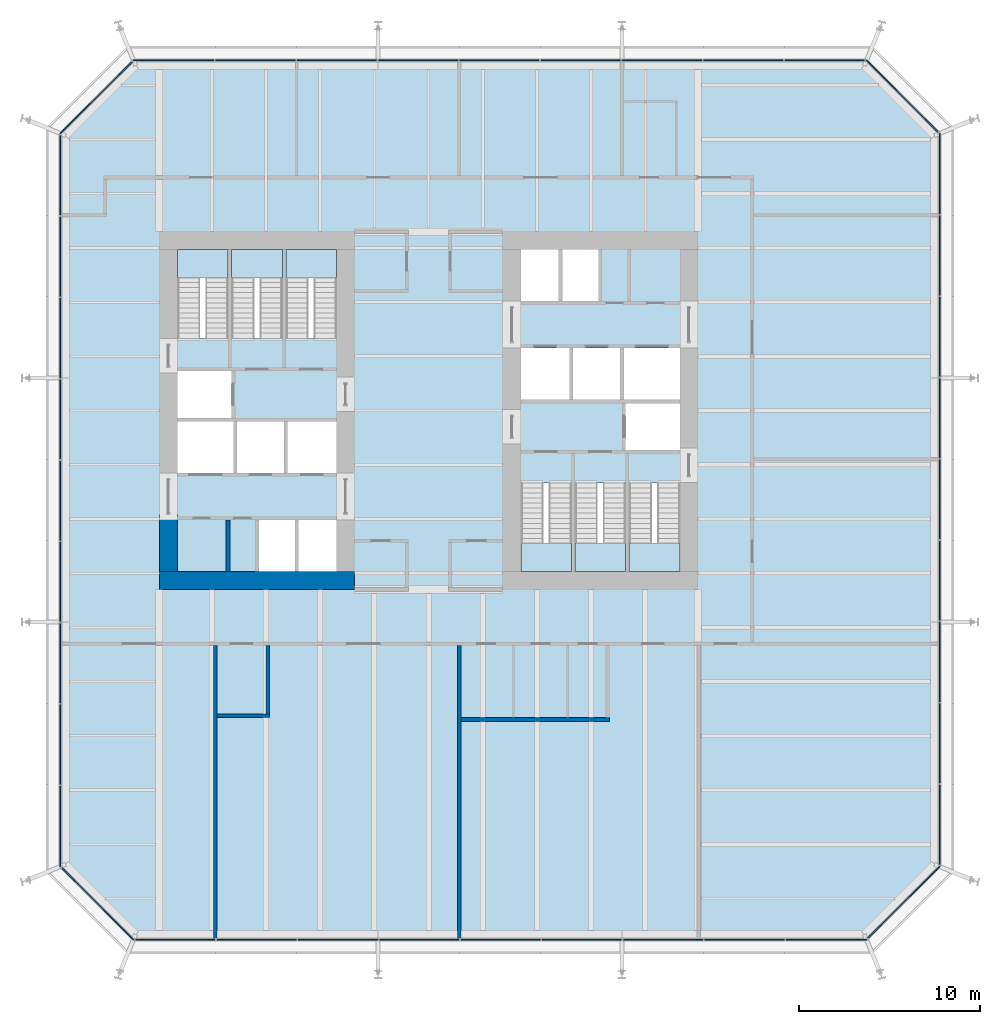
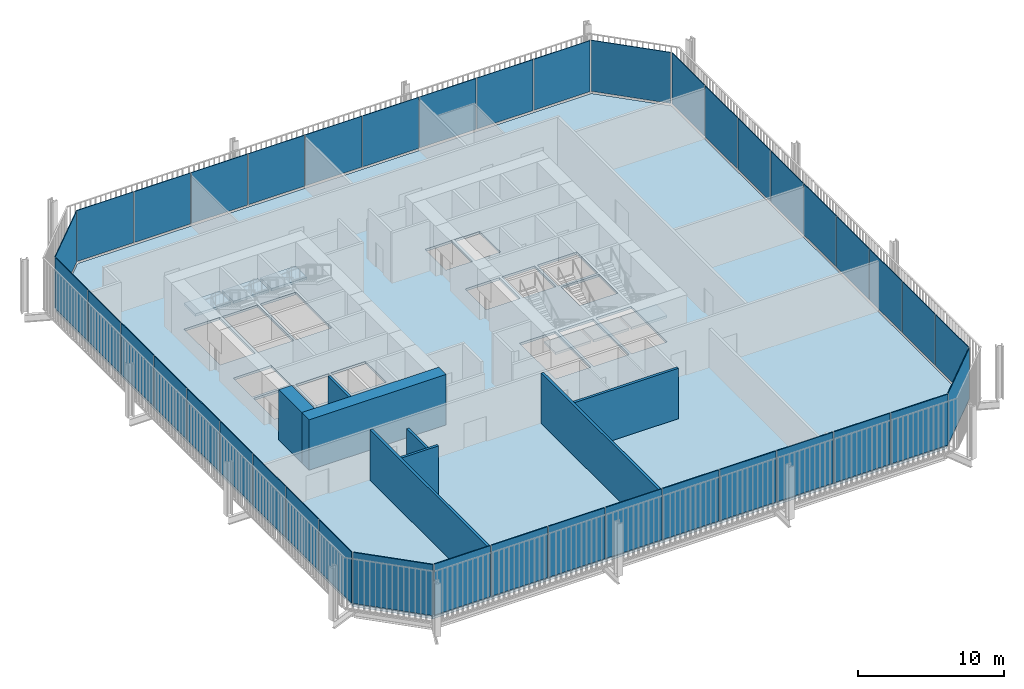
# One storey, part 15 of 20: 40 plates, 8 walls, 7 slabs, 14 elements without a shape of their own.
"""IFC4 building model written with IfcOpenShell, lengths in metres."""

from ifc_helpers import new_model, si_unit, direction, frame, frame_2d, origin, place, context, subcontext, project, spatial, polyline, rectangle, outline, extrude, material, layer, layer_set, type_object, element, aggregate, save


model = new_model("IFC4")

# Units and contexts
model_context = context("Model", 3, precision=1e-05, world=origin(), true_north=direction((0.0, 1.0)))
body_context = subcontext(model_context, "Body", "Model", "MODEL_VIEW")
ifc_project = project(units=[si_unit("LENGTHUNIT", "METRE"), si_unit("AREAUNIT", "SQUARE_METRE"), si_unit("VOLUMEUNIT", "CUBIC_METRE"), si_unit("PLANEANGLEUNIT", "RADIAN"), si_unit("MASSUNIT", "GRAM", prefix="KILO")], contexts=[model_context])

# Site, building, storey
site_placement = place(None, origin())
site = spatial("IfcSite", under=ifc_project, at=site_placement, CompositionType="ELEMENT")
building_placement = place(site_placement, origin())
building = spatial("IfcBuilding", under=site, at=building_placement, Name="Millrace Tower", CompositionType="ELEMENT")
storey_placement = place(building_placement, frame((0.0, 0.0, 77.60009765625)))
storey = spatial("IfcBuildingStorey", under=building, at=storey_placement, Name="L17", CompositionType="ELEMENT", Elevation=77.60009765625)

# Curtain wall, plate
ifc_material_1 = material(Name="Aluminium and glass", Category="aluminium")
ifc_layer_1 = layer(ifc_material_1, 0.14990234375)
ifc_layer_set_1 = layer_set([ifc_layer_1], Name="Aluminium and glass")
curtain_wall_type = type_object("IfcCurtainWallType", Name="CW-3 telecom floor curtain wall", PredefinedType="NOTDEFINED", material=ifc_layer_set_1)
placement_1 = place(storey_placement, origin())
curtain_wall_1 = element("IfcCurtainWall", 1, at=placement_1, inside=storey, type_object=curtain_wall_type, Name="Curtain wall B-F01 L17", PredefinedType="NOTDEFINED")
ifc_material_2 = material(Name="Glass", Category="glass")
ifc_layer_2 = layer(ifc_material_2, 0.06005859375)
ifc_layer_set_2 = layer_set([ifc_layer_2], Name="Glass")
plate_type = type_object("IfcPlateType", Name="CW-3 telecom floor curtain wall triple-glazed panel with spandrel", PredefinedType="CURTAIN_PANEL", material=ifc_layer_set_2)
placement_2 = place(storey_placement, frame((0.0, 0.0, 0.14990234375)))
plate_1 = element("IfcPlate", 2, at=placement_2, type_object=plate_type, Name="CW3 panel B-F01.1", PredefinedType="CURTAIN_PANEL", context=body_context, shape_type="SweptSolid", body=[
    extrude(outline(polyline([(-20.328369140625, -25.3203125), (-16.343505859375, -29.304931640625), (-16.318603515625, -29.2451171875), (-20.285888671875, -25.27783203125), (-20.328369140625, -25.3203125)])), origin(), (0.0, 0.0, 1.0), 4.25),
])
aggregate(curtain_wall_1, [plate_1])

# Curtain wall, plates
curtain_wall_2 = element("IfcCurtainWall", 3, at=placement_1, inside=storey, type_object=curtain_wall_type, Name="Curtain wall B-F02 L17", PredefinedType="NOTDEFINED")
plate_2 = element("IfcPlate", 4, at=placement_2, type_object=plate_type, Name="CW3 panel B-F02.1", PredefinedType="CURTAIN_PANEL", context=body_context, shape_type="SweptSolid", body=[
    extrude(outline(polyline([(-16.235107421875, -29.304931640625), (-11.800048828125, -29.304931640625), (-11.800048828125, -29.2451171875), (-16.235107421875, -29.2451171875), (-16.235107421875, -29.304931640625)])), origin(), (0.0, 0.0, 1.0), 4.25),
])
plate_3 = element("IfcPlate", 5, at=placement_2, type_object=plate_type, Name="CW3 panel B-F02.2", PredefinedType="CURTAIN_PANEL", context=body_context, shape_type="SweptSolid", body=[
    extrude(outline(polyline([(-11.735107421875, -29.304931640625), (-7.300048828125, -29.304931640625), (-7.300048828125, -29.2451171875), (-11.735107421875, -29.2451171875), (-11.735107421875, -29.304931640625)])), origin(), (0.0, 0.0, 1.0), 4.25),
])
plate_4 = element("IfcPlate", 6, at=placement_2, type_object=plate_type, Name="CW3 panel B-F02.3", PredefinedType="CURTAIN_PANEL", context=body_context, shape_type="SweptSolid", body=[
    extrude(outline(polyline([(-7.235107421875, -29.304931640625), (-2.800048828125, -29.304931640625), (-2.800048828125, -29.2451171875), (-7.235107421875, -29.2451171875), (-7.235107421875, -29.304931640625)])), origin(), (0.0, 0.0, 1.0), 4.25),
])
plate_5 = element("IfcPlate", 7, at=placement_2, type_object=plate_type, Name="CW3 panel B-F02.4", PredefinedType="CURTAIN_PANEL", context=body_context, shape_type="SweptSolid", body=[
    extrude(outline(polyline([(-2.735107421875, -29.304931640625), (1.699951171875, -29.304931640625), (1.699951171875, -29.2451171875), (-2.735107421875, -29.2451171875), (-2.735107421875, -29.304931640625)])), origin(), (0.0, 0.0, 1.0), 4.25),
])
plate_6 = element("IfcPlate", 8, at=placement_2, type_object=plate_type, Name="CW3 panel B-F02.5", PredefinedType="CURTAIN_PANEL", context=body_context, shape_type="SweptSolid", body=[
    extrude(outline(polyline([(1.764892578125, -29.304931640625), (6.199951171875, -29.304931640625), (6.199951171875, -29.2451171875), (1.764892578125, -29.2451171875), (1.764892578125, -29.304931640625)])), origin(), (0.0, 0.0, 1.0), 4.25),
])
plate_7 = element("IfcPlate", 9, at=placement_2, type_object=plate_type, Name="CW3 panel B-F02.6", PredefinedType="CURTAIN_PANEL", context=body_context, shape_type="SweptSolid", body=[
    extrude(outline(polyline([(6.264892578125, -29.304931640625), (10.699951171875, -29.304931640625), (10.699951171875, -29.2451171875), (6.264892578125, -29.2451171875), (6.264892578125, -29.304931640625)])), origin(), (0.0, 0.0, 1.0), 4.25),
])
plate_8 = element("IfcPlate", 10, at=placement_2, type_object=plate_type, Name="CW3 panel B-F02.7", PredefinedType="CURTAIN_PANEL", context=body_context, shape_type="SweptSolid", body=[
    extrude(outline(polyline([(10.764892578125, -29.304931640625), (15.199951171875, -29.304931640625), (15.199951171875, -29.2451171875), (10.764892578125, -29.2451171875), (10.764892578125, -29.304931640625)])), origin(), (0.0, 0.0, 1.0), 4.25),
])
plate_9 = element("IfcPlate", 11, at=placement_2, type_object=plate_type, Name="CW3 panel B-F02.8", PredefinedType="CURTAIN_PANEL", context=body_context, shape_type="SweptSolid", body=[
    extrude(outline(polyline([(15.264892578125, -29.304931640625), (19.699951171875, -29.304931640625), (19.699951171875, -29.2451171875), (15.264892578125, -29.2451171875), (15.264892578125, -29.304931640625)])), origin(), (0.0, 0.0, 1.0), 4.25),
])
plate_10 = element("IfcPlate", 12, at=placement_2, type_object=plate_type, Name="CW3 panel B-F02.9", PredefinedType="CURTAIN_PANEL", context=body_context, shape_type="SweptSolid", body=[
    extrude(outline(polyline([(19.764892578125, -29.304931640625), (24.243408203125, -29.304931640625), (24.21875, -29.2451171875), (19.764892578125, -29.2451171875), (19.764892578125, -29.304931640625)])), origin(), (0.0, 0.0, 1.0), 4.25),
])
aggregate(curtain_wall_2, [plate_2, plate_3, plate_4, plate_5, plate_6, plate_7, plate_8, plate_9, plate_10])

# Curtain wall, plate
curtain_wall_3 = element("IfcCurtainWall", 13, at=placement_1, inside=storey, type_object=curtain_wall_type, Name="Curtain wall B-F03 L17", PredefinedType="NOTDEFINED")
plate_11 = element("IfcPlate", 14, at=placement_2, type_object=plate_type, Name="CW3 panel B-F03.1", PredefinedType="CURTAIN_PANEL", context=body_context, shape_type="SweptSolid", body=[
    extrude(outline(polyline([(24.3203125, -29.228271484375), (28.304931640625, -25.243408203125), (28.2451171875, -25.21875), (24.27783203125, -29.185791015625), (24.3203125, -29.228271484375)])), origin(), (0.0, 0.0, 1.0), 4.25),
])
aggregate(curtain_wall_3, [plate_11])

# Curtain wall, plates
curtain_wall_4 = element("IfcCurtainWall", 15, at=placement_1, inside=storey, type_object=curtain_wall_type, Name="Curtain wall B-F04 L17", PredefinedType="NOTDEFINED")
plate_12 = element("IfcPlate", 16, at=placement_2, type_object=plate_type, Name="CW3 panel B-F04.1", PredefinedType="CURTAIN_PANEL", context=body_context, shape_type="SweptSolid", body=[
    extrude(outline(polyline([(28.304931640625, -25.135009765625), (28.304931640625, -20.699951171875), (28.2451171875, -20.699951171875), (28.2451171875, -25.135009765625), (28.304931640625, -25.135009765625)])), origin(), (0.0, 0.0, 1.0), 4.25),
])
plate_13 = element("IfcPlate", 17, at=placement_2, type_object=plate_type, Name="CW3 panel B-F04.2", PredefinedType="CURTAIN_PANEL", context=body_context, shape_type="SweptSolid", body=[
    extrude(outline(polyline([(28.304931640625, -20.635009765625), (28.304931640625, -16.199951171875), (28.2451171875, -16.199951171875), (28.2451171875, -20.635009765625), (28.304931640625, -20.635009765625)])), origin(), (0.0, 0.0, 1.0), 4.25),
])
plate_14 = element("IfcPlate", 18, at=placement_2, type_object=plate_type, Name="CW3 panel B-F04.3", PredefinedType="CURTAIN_PANEL", context=body_context, shape_type="SweptSolid", body=[
    extrude(outline(polyline([(28.304931640625, -16.135009765625), (28.304931640625, -11.699951171875), (28.2451171875, -11.699951171875), (28.2451171875, -16.135009765625), (28.304931640625, -16.135009765625)])), origin(), (0.0, 0.0, 1.0), 4.25),
])
plate_15 = element("IfcPlate", 19, at=placement_2, type_object=plate_type, Name="CW3 panel B-F04.4", PredefinedType="CURTAIN_PANEL", context=body_context, shape_type="SweptSolid", body=[
    extrude(outline(polyline([(28.304931640625, -11.635009765625), (28.304931640625, -7.199951171875), (28.2451171875, -7.199951171875), (28.2451171875, -11.635009765625), (28.304931640625, -11.635009765625)])), origin(), (0.0, 0.0, 1.0), 4.25),
])
plate_16 = element("IfcPlate", 20, at=placement_2, type_object=plate_type, Name="CW3 panel B-F04.5", PredefinedType="CURTAIN_PANEL", context=body_context, shape_type="SweptSolid", body=[
    extrude(outline(polyline([(28.304931640625, -7.135009765625), (28.304931640625, -2.699951171875), (28.2451171875, -2.699951171875), (28.2451171875, -7.135009765625), (28.304931640625, -7.135009765625)])), origin(), (0.0, 0.0, 1.0), 4.25),
])
plate_17 = element("IfcPlate", 21, at=placement_2, type_object=plate_type, Name="CW3 panel B-F04.6", PredefinedType="CURTAIN_PANEL", context=body_context, shape_type="SweptSolid", body=[
    extrude(outline(polyline([(28.304931640625, -2.635009765625), (28.304931640625, 1.800048828125), (28.2451171875, 1.800048828125), (28.2451171875, -2.635009765625), (28.304931640625, -2.635009765625)])), origin(), (0.0, 0.0, 1.0), 4.25),
])
plate_18 = element("IfcPlate", 22, at=placement_2, type_object=plate_type, Name="CW3 panel B-F04.7", PredefinedType="CURTAIN_PANEL", context=body_context, shape_type="SweptSolid", body=[
    extrude(outline(polyline([(28.304931640625, 1.864990234375), (28.304931640625, 6.300048828125), (28.2451171875, 6.300048828125), (28.2451171875, 1.864990234375), (28.304931640625, 1.864990234375)])), origin(), (0.0, 0.0, 1.0), 4.25),
])
plate_19 = element("IfcPlate", 23, at=placement_2, type_object=plate_type, Name="CW3 panel B-F04.8", PredefinedType="CURTAIN_PANEL", context=body_context, shape_type="SweptSolid", body=[
    extrude(outline(polyline([(28.304931640625, 6.364990234375), (28.304931640625, 10.800048828125), (28.2451171875, 10.800048828125), (28.2451171875, 6.364990234375), (28.304931640625, 6.364990234375)])), origin(), (0.0, 0.0, 1.0), 4.25),
])
plate_20 = element("IfcPlate", 24, at=placement_2, type_object=plate_type, Name="CW3 panel B-F04.9", PredefinedType="CURTAIN_PANEL", context=body_context, shape_type="SweptSolid", body=[
    extrude(outline(polyline([(28.304931640625, 10.864990234375), (28.304931640625, 15.343505859375), (28.2451171875, 15.318603515625), (28.2451171875, 10.864990234375), (28.304931640625, 10.864990234375)])), origin(), (0.0, 0.0, 1.0), 4.25),
])
aggregate(curtain_wall_4, [plate_12, plate_13, plate_14, plate_15, plate_16, plate_17, plate_18, plate_19, plate_20])

# Curtain wall, plate
curtain_wall_5 = element("IfcCurtainWall", 25, at=placement_1, inside=storey, type_object=curtain_wall_type, Name="Curtain wall B-F05 L17", PredefinedType="NOTDEFINED")
plate_21 = element("IfcPlate", 26, at=placement_2, type_object=plate_type, Name="CW3 panel B-F05.1", PredefinedType="CURTAIN_PANEL", context=body_context, shape_type="SweptSolid", body=[
    extrude(outline(polyline([(28.228271484375, 15.420166015625), (24.243408203125, 19.405029296875), (24.21875, 19.344970703125), (28.185791015625, 15.377685546875), (28.228271484375, 15.420166015625)])), origin(), (0.0, 0.0, 1.0), 4.25),
])
aggregate(curtain_wall_5, [plate_21])

# Curtain wall, plates
curtain_wall_6 = element("IfcCurtainWall", 27, at=placement_1, inside=storey, type_object=curtain_wall_type, Name="Curtain wall B-F06 L17", PredefinedType="NOTDEFINED")
plate_22 = element("IfcPlate", 28, at=placement_2, type_object=plate_type, Name="CW3 panel B-F06.1", PredefinedType="CURTAIN_PANEL", context=body_context, shape_type="SweptSolid", body=[
    extrude(outline(polyline([(24.135009765625, 19.405029296875), (19.699951171875, 19.405029296875), (19.699951171875, 19.344970703125), (24.135009765625, 19.344970703125), (24.135009765625, 19.405029296875)])), origin(), (0.0, 0.0, 1.0), 4.25),
])
plate_23 = element("IfcPlate", 29, at=placement_2, type_object=plate_type, Name="CW3 panel B-F06.2", PredefinedType="CURTAIN_PANEL", context=body_context, shape_type="SweptSolid", body=[
    extrude(outline(polyline([(19.635009765625, 19.405029296875), (15.199951171875, 19.405029296875), (15.199951171875, 19.344970703125), (19.635009765625, 19.344970703125), (19.635009765625, 19.405029296875)])), origin(), (0.0, 0.0, 1.0), 4.25),
])
plate_24 = element("IfcPlate", 30, at=placement_2, type_object=plate_type, Name="CW3 panel B-F06.3", PredefinedType="CURTAIN_PANEL", context=body_context, shape_type="SweptSolid", body=[
    extrude(outline(polyline([(15.135009765625, 19.405029296875), (10.699951171875, 19.405029296875), (10.699951171875, 19.344970703125), (15.135009765625, 19.344970703125), (15.135009765625, 19.405029296875)])), origin(), (0.0, 0.0, 1.0), 4.25),
])
plate_25 = element("IfcPlate", 31, at=placement_2, type_object=plate_type, Name="CW3 panel B-F06.4", PredefinedType="CURTAIN_PANEL", context=body_context, shape_type="SweptSolid", body=[
    extrude(outline(polyline([(10.635009765625, 19.405029296875), (6.199951171875, 19.405029296875), (6.199951171875, 19.344970703125), (10.635009765625, 19.344970703125), (10.635009765625, 19.405029296875)])), origin(), (0.0, 0.0, 1.0), 4.25),
])
plate_26 = element("IfcPlate", 32, at=placement_2, type_object=plate_type, Name="CW3 panel B-F06.5", PredefinedType="CURTAIN_PANEL", context=body_context, shape_type="SweptSolid", body=[
    extrude(outline(polyline([(6.135009765625, 19.405029296875), (1.699951171875, 19.405029296875), (1.699951171875, 19.344970703125), (6.135009765625, 19.344970703125), (6.135009765625, 19.405029296875)])), origin(), (0.0, 0.0, 1.0), 4.25),
])
plate_27 = element("IfcPlate", 33, at=placement_2, type_object=plate_type, Name="CW3 panel B-F06.6", PredefinedType="CURTAIN_PANEL", context=body_context, shape_type="SweptSolid", body=[
    extrude(outline(polyline([(1.635009765625, 19.405029296875), (-2.800048828125, 19.405029296875), (-2.800048828125, 19.344970703125), (1.635009765625, 19.344970703125), (1.635009765625, 19.405029296875)])), origin(), (0.0, 0.0, 1.0), 4.25),
])
plate_28 = element("IfcPlate", 34, at=placement_2, type_object=plate_type, Name="CW3 panel B-F06.7", PredefinedType="CURTAIN_PANEL", context=body_context, shape_type="SweptSolid", body=[
    extrude(outline(polyline([(-2.864990234375, 19.405029296875), (-7.300048828125, 19.405029296875), (-7.300048828125, 19.344970703125), (-2.864990234375, 19.344970703125), (-2.864990234375, 19.405029296875)])), origin(), (0.0, 0.0, 1.0), 4.25),
])
plate_29 = element("IfcPlate", 35, at=placement_2, type_object=plate_type, Name="CW3 panel B-F06.8", PredefinedType="CURTAIN_PANEL", context=body_context, shape_type="SweptSolid", body=[
    extrude(outline(polyline([(-7.364990234375, 19.405029296875), (-11.800048828125, 19.405029296875), (-11.800048828125, 19.344970703125), (-7.364990234375, 19.344970703125), (-7.364990234375, 19.405029296875)])), origin(), (0.0, 0.0, 1.0), 4.25),
])
plate_30 = element("IfcPlate", 36, at=placement_2, type_object=plate_type, Name="CW3 panel B-F06.9", PredefinedType="CURTAIN_PANEL", context=body_context, shape_type="SweptSolid", body=[
    extrude(outline(polyline([(-11.864990234375, 19.405029296875), (-16.343505859375, 19.405029296875), (-16.318603515625, 19.344970703125), (-11.864990234375, 19.344970703125), (-11.864990234375, 19.405029296875)])), origin(), (0.0, 0.0, 1.0), 4.25),
])
aggregate(curtain_wall_6, [plate_22, plate_23, plate_24, plate_25, plate_26, plate_27, plate_28, plate_29, plate_30])

# Curtain wall, plate
curtain_wall_7 = element("IfcCurtainWall", 37, at=placement_1, inside=storey, type_object=curtain_wall_type, Name="Curtain wall B-F07 L17", PredefinedType="NOTDEFINED")
plate_31 = element("IfcPlate", 38, at=placement_2, type_object=plate_type, Name="CW3 panel B-F07.1", PredefinedType="CURTAIN_PANEL", context=body_context, shape_type="SweptSolid", body=[
    extrude(outline(polyline([(-16.420166015625, 19.328369140625), (-20.405029296875, 15.343505859375), (-20.344970703125, 15.318603515625), (-16.377685546875, 19.285888671875), (-16.420166015625, 19.328369140625)])), origin(), (0.0, 0.0, 1.0), 4.25),
])
aggregate(curtain_wall_7, [plate_31])

# Curtain wall, plates
curtain_wall_8 = element("IfcCurtainWall", 39, at=placement_1, inside=storey, type_object=curtain_wall_type, Name="Curtain wall B-F08 L17", PredefinedType="NOTDEFINED")
plate_32 = element("IfcPlate", 40, at=placement_2, type_object=plate_type, Name="CW3 panel B-F08.1", PredefinedType="CURTAIN_PANEL", context=body_context, shape_type="SweptSolid", body=[
    extrude(outline(polyline([(-20.405029296875, 15.235107421875), (-20.405029296875, 10.800048828125), (-20.344970703125, 10.800048828125), (-20.344970703125, 15.235107421875), (-20.405029296875, 15.235107421875)])), origin(), (0.0, 0.0, 1.0), 4.25),
])
plate_33 = element("IfcPlate", 41, at=placement_2, type_object=plate_type, Name="CW3 panel B-F08.2", PredefinedType="CURTAIN_PANEL", context=body_context, shape_type="SweptSolid", body=[
    extrude(outline(polyline([(-20.405029296875, 10.735107421875), (-20.405029296875, 6.300048828125), (-20.344970703125, 6.300048828125), (-20.344970703125, 10.735107421875), (-20.405029296875, 10.735107421875)])), origin(), (0.0, 0.0, 1.0), 4.25),
])
plate_34 = element("IfcPlate", 42, at=placement_2, type_object=plate_type, Name="CW3 panel B-F08.3", PredefinedType="CURTAIN_PANEL", context=body_context, shape_type="SweptSolid", body=[
    extrude(outline(polyline([(-20.405029296875, 6.235107421875), (-20.405029296875, 1.800048828125), (-20.344970703125, 1.800048828125), (-20.344970703125, 6.235107421875), (-20.405029296875, 6.235107421875)])), origin(), (0.0, 0.0, 1.0), 4.25),
])
plate_35 = element("IfcPlate", 43, at=placement_2, type_object=plate_type, Name="CW3 panel B-F08.4", PredefinedType="CURTAIN_PANEL", context=body_context, shape_type="SweptSolid", body=[
    extrude(outline(polyline([(-20.405029296875, 1.735107421875), (-20.405029296875, -2.699951171875), (-20.344970703125, -2.699951171875), (-20.344970703125, 1.735107421875), (-20.405029296875, 1.735107421875)])), origin(), (0.0, 0.0, 1.0), 4.25),
])
plate_36 = element("IfcPlate", 44, at=placement_2, type_object=plate_type, Name="CW3 panel B-F08.5", PredefinedType="CURTAIN_PANEL", context=body_context, shape_type="SweptSolid", body=[
    extrude(outline(polyline([(-20.405029296875, -2.764892578125), (-20.405029296875, -7.199951171875), (-20.344970703125, -7.199951171875), (-20.344970703125, -2.764892578125), (-20.405029296875, -2.764892578125)])), origin(), (0.0, 0.0, 1.0), 4.25),
])
plate_37 = element("IfcPlate", 45, at=placement_2, type_object=plate_type, Name="CW3 panel B-F08.6", PredefinedType="CURTAIN_PANEL", context=body_context, shape_type="SweptSolid", body=[
    extrude(outline(polyline([(-20.405029296875, -7.264892578125), (-20.405029296875, -11.699951171875), (-20.344970703125, -11.699951171875), (-20.344970703125, -7.264892578125), (-20.405029296875, -7.264892578125)])), origin(), (0.0, 0.0, 1.0), 4.25),
])
plate_38 = element("IfcPlate", 46, at=placement_2, type_object=plate_type, Name="CW3 panel B-F08.7", PredefinedType="CURTAIN_PANEL", context=body_context, shape_type="SweptSolid", body=[
    extrude(outline(polyline([(-20.405029296875, -11.764892578125), (-20.405029296875, -16.199951171875), (-20.344970703125, -16.199951171875), (-20.344970703125, -11.764892578125), (-20.405029296875, -11.764892578125)])), origin(), (0.0, 0.0, 1.0), 4.25),
])
plate_39 = element("IfcPlate", 47, at=placement_2, type_object=plate_type, Name="CW3 panel B-F08.8", PredefinedType="CURTAIN_PANEL", context=body_context, shape_type="SweptSolid", body=[
    extrude(outline(polyline([(-20.405029296875, -16.264892578125), (-20.405029296875, -20.699951171875), (-20.344970703125, -20.699951171875), (-20.344970703125, -16.264892578125), (-20.405029296875, -16.264892578125)])), origin(), (0.0, 0.0, 1.0), 4.25),
])
plate_40 = element("IfcPlate", 48, at=placement_2, type_object=plate_type, Name="CW3 panel B-F08.9", PredefinedType="CURTAIN_PANEL", context=body_context, shape_type="SweptSolid", body=[
    extrude(outline(polyline([(-20.405029296875, -20.764892578125), (-20.405029296875, -25.243408203125), (-20.344970703125, -25.21875), (-20.344970703125, -20.764892578125), (-20.405029296875, -20.764892578125)])), origin(), (0.0, 0.0, 1.0), 4.25),
])
aggregate(curtain_wall_8, [plate_32, plate_33, plate_34, plate_35, plate_36, plate_37, plate_38, plate_39, plate_40])

# Slab
ifc_material_3 = material(Name="Concrete C35 on steel deck", Category="concrete")
ifc_layer_3 = layer(ifc_material_3, 0.199951171875)
ifc_layer_set_3 = layer_set([ifc_layer_3], Name="Concrete C35 on steel deck")
slab_type_1 = type_object("IfcSlabType", Name="Composite floor slab 200 mm", PredefinedType="FLOOR", material=ifc_layer_set_3)
slab_1_placement = place(storey_placement, frame((0.0, 0.0, -0.2001953125)))
element("IfcSlab", 49, at=slab_1_placement, inside=storey, type_object=slab_type_1, Name="SL-B-L17-S1", PredefinedType="FLOOR", context=body_context, shape_type="SweptSolid", body=[
    extrude(outline(polyline([(-20.300048828125, -25.199951171875), (-16.300048828125, -29.199951171875), (24.199951171875, -29.199951171875), (28.199951171875, -25.199951171875), (28.199951171875, 15.300048828125), (24.199951171875, 19.300048828125), (-16.300048828125, 19.300048828125), (-20.300048828125, 15.300048828125), (-20.300048828125, -25.199951171875)]), holes=[polyline([(-9.39990234375, -8.89990234375), (-7.39990234375, -8.89990234375), (-7.39990234375, -6.050048828125), (-9.39990234375, -6.050048828125), (-9.39990234375, -8.89990234375)]), polyline([(-7.199951171875, -8.89990234375), (-5.10009765625, -8.89990234375), (-5.10009765625, -6.050048828125), (-7.199951171875, -6.050048828125), (-7.199951171875, -8.89990234375)]), polyline([(-13.89990234375, -3.449951171875), (-10.800048828125, -3.449951171875), (-10.800048828125, -0.60009765625), (-13.89990234375, -0.60009765625), (-13.89990234375, -3.449951171875)]), polyline([(-10.60009765625, -3.449951171875), (-8.0, -3.449951171875), (-8.0, -0.60009765625), (-10.60009765625, -0.60009765625), (-10.60009765625, -3.449951171875)]), polyline([(-7.800048828125, -3.449951171875), (-5.10009765625, -3.449951171875), (-5.10009765625, -0.60009765625), (-7.800048828125, -0.60009765625), (-7.800048828125, -3.449951171875)]), polyline([(-13.89990234375, -0.39990234375), (-10.89990234375, -0.39990234375), (-10.89990234375, 2.179931640625), (-13.89990234375, 2.179931640625), (-13.89990234375, -0.39990234375)]), polyline([(-13.89990234375, 4.0), (-11.10009765625, 4.0), (-11.10009765625, 8.89990234375), (-13.89990234375, 8.89990234375), (-13.89990234375, 4.0)]), polyline([(-10.89990234375, 4.0), (-8.10009765625, 4.0), (-8.10009765625, 8.89990234375), (-10.89990234375, 8.89990234375), (-10.89990234375, 4.0)]), polyline([(-7.89990234375, 4.0), (-5.10009765625, 4.0), (-5.10009765625, 8.89990234375), (-7.89990234375, 8.89990234375), (-7.89990234375, 4.0)]), polyline([(7.39990234375, 6.050048828125), (9.39990234375, 6.050048828125), (9.39990234375, 8.89990234375), (7.39990234375, 8.89990234375), (7.39990234375, 6.050048828125)]), polyline([(5.10009765625, 6.050048828125), (7.199951171875, 6.050048828125), (7.199951171875, 8.89990234375), (5.10009765625, 8.89990234375), (5.10009765625, 6.050048828125)]), polyline([(10.800048828125, 0.60009765625), (13.89990234375, 0.60009765625), (13.89990234375, 3.449951171875), (10.800048828125, 3.449951171875), (10.800048828125, 0.60009765625)]), polyline([(8.0, 0.60009765625), (10.60009765625, 0.60009765625), (10.60009765625, 3.449951171875), (8.0, 3.449951171875), (8.0, 0.60009765625)]), polyline([(5.10009765625, 0.60009765625), (7.800048828125, 0.60009765625), (7.800048828125, 3.449951171875), (5.10009765625, 3.449951171875), (5.10009765625, 0.60009765625)]), polyline([(10.89990234375, -2.179931640625), (13.89990234375, -2.179931640625), (13.89990234375, 0.39990234375), (10.89990234375, 0.39990234375), (10.89990234375, -2.179931640625)]), polyline([(11.10009765625, -8.89990234375), (13.89990234375, -8.89990234375), (13.89990234375, -4.0), (11.10009765625, -4.0), (11.10009765625, -8.89990234375)]), polyline([(8.10009765625, -8.89990234375), (10.89990234375, -8.89990234375), (10.89990234375, -4.0), (8.10009765625, -4.0), (8.10009765625, -8.89990234375)]), polyline([(5.10009765625, -8.89990234375), (7.89990234375, -8.89990234375), (7.89990234375, -4.0), (5.10009765625, -4.0), (5.10009765625, -8.89990234375)])]), origin(), (0.0, 0.0, 1.0), 0.2001953125),
])

# Stair, slab
ifc_material_4 = material(Name="Concrete C35", Category="concrete")
stair_type = type_object("IfcStairType", Name="Exit stair", PredefinedType="HALF_TURN_STAIR", material=ifc_material_4)
stair_1 = element("IfcStair", 50, at=placement_1, inside=storey, type_object=stair_type, Name="Stair 1 W L17", PredefinedType="HALF_TURN_STAIR")
ifc_material_5 = material(Name="Concrete C40", Category="concrete")
ifc_layer_4 = layer(ifc_material_5, 0.199951171875)
ifc_layer_set_4 = layer_set([ifc_layer_4], Name="Concrete C40")
slab_type_2 = type_object("IfcSlabType", Name="Stair landing", PredefinedType="LANDING", material=ifc_layer_set_4)
placement_3 = place(storey_placement, frame((0.0, 0.0, 2.0)))
slab_2 = element("IfcSlab", 51, at=placement_3, type_object=slab_type_2, Name="ST12 landing 1", PredefinedType="LANDING", context=body_context, shape_type="SweptSolid", body=[
    extrude(outline(polyline([(-13.89990234375, 7.360107421875), (-11.10009765625, 7.360107421875), (-11.10009765625, 8.89990234375), (-13.89990234375, 8.89990234375), (-13.89990234375, 7.360107421875)])), origin(), (0.0, 0.0, 1.0), 0.199951171875),
])
aggregate(stair_1, [slab_2])

stair_2 = element("IfcStair", 52, at=placement_1, inside=storey, type_object=stair_type, Name="Stair 2 W L17", PredefinedType="HALF_TURN_STAIR")
slab_3 = element("IfcSlab", 53, at=placement_3, type_object=slab_type_2, Name="ST12 landing 1", PredefinedType="LANDING", context=body_context, shape_type="SweptSolid", body=[
    extrude(outline(polyline([(-10.89990234375, 7.360107421875), (-8.10009765625, 7.360107421875), (-8.10009765625, 8.89990234375), (-10.89990234375, 8.89990234375), (-10.89990234375, 7.360107421875)])), origin(), (0.0, 0.0, 1.0), 0.199951171875),
])
aggregate(stair_2, [slab_3])

stair_3 = element("IfcStair", 54, at=placement_1, inside=storey, type_object=stair_type, Name="Stair 3 W L17", PredefinedType="HALF_TURN_STAIR")
slab_4 = element("IfcSlab", 55, at=placement_3, type_object=slab_type_2, Name="ST12 landing 1", PredefinedType="LANDING", context=body_context, shape_type="SweptSolid", body=[
    extrude(outline(polyline([(-7.89990234375, 7.360107421875), (-5.10009765625, 7.360107421875), (-5.10009765625, 8.89990234375), (-7.89990234375, 8.89990234375), (-7.89990234375, 7.360107421875)])), origin(), (0.0, 0.0, 1.0), 0.199951171875),
])
aggregate(stair_3, [slab_4])

stair_4 = element("IfcStair", 56, at=placement_1, inside=storey, type_object=stair_type, Name="Stair 1 E L17", PredefinedType="HALF_TURN_STAIR")
slab_5 = element("IfcSlab", 57, at=placement_3, type_object=slab_type_2, Name="ST12 landing 1", PredefinedType="LANDING", context=body_context, shape_type="SweptSolid", body=[
    extrude(outline(polyline([(11.10009765625, -8.89990234375), (13.89990234375, -8.89990234375), (13.89990234375, -7.360107421875), (11.10009765625, -7.360107421875), (11.10009765625, -8.89990234375)])), origin(), (0.0, 0.0, 1.0), 0.199951171875),
])
aggregate(stair_4, [slab_5])

stair_5 = element("IfcStair", 58, at=placement_1, inside=storey, type_object=stair_type, Name="Stair 2 E L17", PredefinedType="HALF_TURN_STAIR")
slab_6 = element("IfcSlab", 59, at=placement_3, type_object=slab_type_2, Name="ST12 landing 1", PredefinedType="LANDING", context=body_context, shape_type="SweptSolid", body=[
    extrude(outline(polyline([(8.10009765625, -8.89990234375), (10.89990234375, -8.89990234375), (10.89990234375, -7.360107421875), (8.10009765625, -7.360107421875), (8.10009765625, -8.89990234375)])), origin(), (0.0, 0.0, 1.0), 0.199951171875),
])
aggregate(stair_5, [slab_6])

stair_6 = element("IfcStair", 60, at=placement_1, inside=storey, type_object=stair_type, Name="Stair 3 E L17", PredefinedType="HALF_TURN_STAIR")
slab_7 = element("IfcSlab", 61, at=placement_3, type_object=slab_type_2, Name="ST12 landing 1", PredefinedType="LANDING", context=body_context, shape_type="SweptSolid", body=[
    extrude(outline(polyline([(5.10009765625, -8.89990234375), (7.89990234375, -8.89990234375), (7.89990234375, -7.360107421875), (5.10009765625, -7.360107421875), (5.10009765625, -8.89990234375)])), origin(), (0.0, 0.0, 1.0), 0.199951171875),
])
aggregate(stair_6, [slab_7])

# Walls
ifc_material_6 = material(Name="Concrete C80", Category="concrete")
ifc_layer_5 = layer(ifc_material_6, 1.0)
ifc_layer_set_5 = layer_set([ifc_layer_5], Name="Concrete C80")
wall_type_1 = type_object("IfcWallType", Name="Core wall 1000 Concrete C80", PredefinedType="SHEAR", material=ifc_layer_set_5)
wall_1_placement = place(storey_placement, frame((-14.89990234375, -9.39990234375, 0.0), z_axis=(0.0, 0.0, 1.0), x_axis=(1.0, 0.0, 0.0)))
element("IfcWall", 62, at=wall_1_placement, inside=storey, type_object=wall_type_1, Name="Core wall W L17", PredefinedType="SHEAR", context=body_context, shape_type="SweptSolid", body=[
    extrude(rectangle(XDim=10.7998046875, YDim=1.0, at=frame_2d((5.39990234375, 0.0))), origin(), (0.0, 0.0, 1.0), 4.199951171875),
])
wall_2_placement = place(storey_placement, frame((-14.39990234375, -8.89990234375, 0.0), z_axis=(0.0, 0.0, 1.0), x_axis=(0.0, 1.0, 0.0)))
element("IfcWall", 63, at=wall_2_placement, inside=storey, type_object=wall_type_1, Name="Core wall W L17", PredefinedType="SHEAR", context=body_context, shape_type="SweptSolid", body=[
    extrude(rectangle(XDim=3.14990234375, YDim=1.0, at=frame_2d((1.574951171875, 0.0))), origin(), (0.0, 0.0, 1.0), 4.199951171875),
])
ifc_material_7 = material(Name="Masonry partition, fire-rated", Category="masonry")
ifc_layer_6 = layer(ifc_material_7, 0.199951171875)
ifc_layer_set_6 = layer_set([ifc_layer_6], Name="Masonry partition, fire-rated")
wall_type_2 = type_object("IfcWallType", Name="Corridor wall 200", PredefinedType="PARTITIONING", material=ifc_layer_set_6)
wall_3_placement = place(storey_placement, frame((1.800048828125, -17.10009765625, 0.0), z_axis=(0.0, 0.0, 1.0), x_axis=(1.0, 0.0, 0.0)))
element("IfcWall", 64, at=wall_3_placement, inside=storey, type_object=wall_type_2, Name="Corridor wall L17", PredefinedType="PARTITIONING", context=body_context, shape_type="SweptSolid", body=[
    extrude(rectangle(XDim=8.199951171875, YDim=0.199951171875, at=frame_2d((4.10009765625, 0.0))), origin(), (0.0, 0.0, 1.0), 4.199951171875),
])
wall_4_placement = place(storey_placement, frame((-11.699951171875, -16.89990234375, 0.0), z_axis=(0.0, 0.0, 1.0), x_axis=(1.0, 0.0, 0.0)))
element("IfcWall", 65, at=wall_4_placement, inside=storey, type_object=wall_type_2, Name="Corridor wall L17", PredefinedType="PARTITIONING", context=body_context, shape_type="SweptSolid", body=[
    extrude(rectangle(XDim=2.89990234375, YDim=0.199951171875, at=frame_2d((1.449951171875, 0.0))), origin(), (0.0, 0.0, 1.0), 4.199951171875),
])
wall_5_placement = place(storey_placement, frame((1.699951171875, -29.22998046875, 0.0), z_axis=(0.0, 0.0, 1.0), x_axis=(0.0, 1.0, 0.0)))
element("IfcWall", 66, at=wall_5_placement, inside=storey, type_object=wall_type_2, Name="Corridor wall L17", PredefinedType="PARTITIONING", context=body_context, shape_type="SweptSolid", body=[
    extrude(rectangle(XDim=16.22998046875, YDim=0.199951171875, at=frame_2d((8.114990234375, 0.0))), origin(), (0.0, 0.0, 1.0), 4.199951171875),
])
wall_6_placement = place(storey_placement, frame((-8.89990234375, -16.800048828125, 0.0), z_axis=(0.0, 0.0, 1.0), x_axis=(0.0, 1.0, 0.0)))
element("IfcWall", 67, at=wall_6_placement, inside=storey, type_object=wall_type_2, Name="Corridor wall L17", PredefinedType="PARTITIONING", context=body_context, shape_type="SweptSolid", body=[
    extrude(rectangle(XDim=3.800048828125, YDim=0.199951171875, at=frame_2d((1.89990234375, 0.0))), origin(), (0.0, 0.0, 1.0), 3.272705078125),
])
wall_7_placement = place(storey_placement, frame((-11.800048828125, -29.22998046875, 0.0), z_axis=(0.0, 0.0, 1.0), x_axis=(0.0, 1.0, 0.0)))
element("IfcWall", 68, at=wall_7_placement, inside=storey, type_object=wall_type_2, Name="Corridor wall L17", PredefinedType="PARTITIONING", context=body_context, shape_type="SweptSolid", body=[
    extrude(rectangle(XDim=16.22998046875, YDim=0.199951171875, at=frame_2d((8.114990234375, 0.0))), origin(), (0.0, 0.0, 1.0), 4.199951171875),
])
ifc_material_8 = material(Name="Masonry partition, fire-rated", Category="masonry")
ifc_layer_7 = layer(ifc_material_8, 0.199951171875)
ifc_layer_set_7 = layer_set([ifc_layer_7], Name="Masonry partition, fire-rated")
wall_type_3 = type_object("IfcWallType", Name="Room partition 200", PredefinedType="PARTITIONING", material=ifc_layer_set_7)
wall_8_placement = place(storey_placement, frame((-11.10498046875, -8.89990234375, 0.0), z_axis=(0.0, 0.0, 1.0), x_axis=(0.0, 1.0, 0.0)))
element("IfcWall", 69, at=wall_8_placement, inside=storey, type_object=wall_type_3, Name="Room partition W L17", PredefinedType="PARTITIONING", context=body_context, shape_type="SweptSolid", body=[
    extrude(rectangle(XDim=2.849853515625, YDim=0.199951171875, at=frame_2d((1.4248046875, 0.0))), origin(), (0.0, 0.0, 1.0), 4.199951171875),
])

save(model, "model.ifc")
